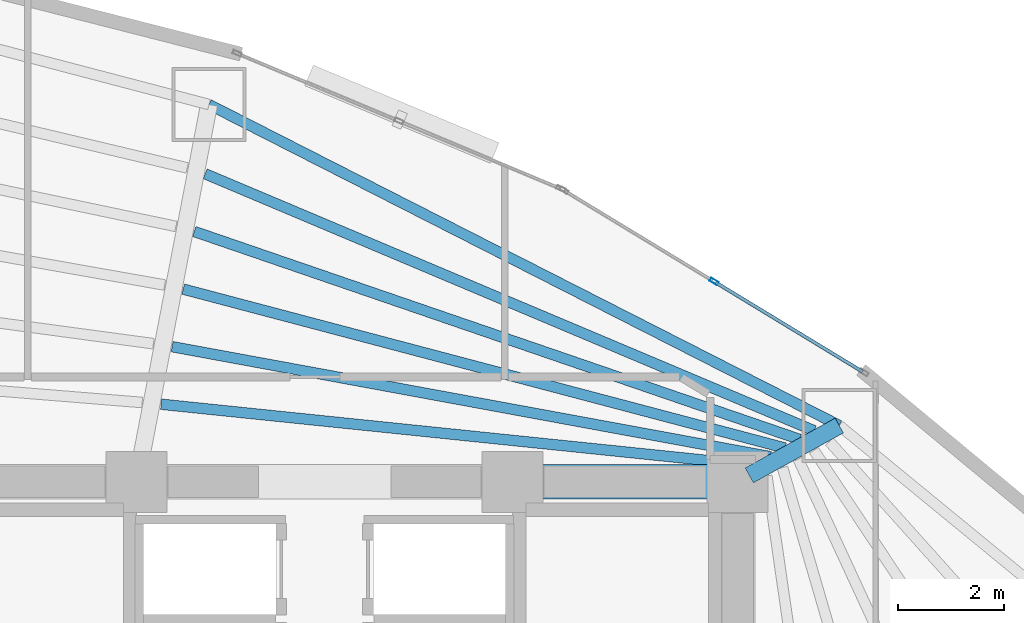
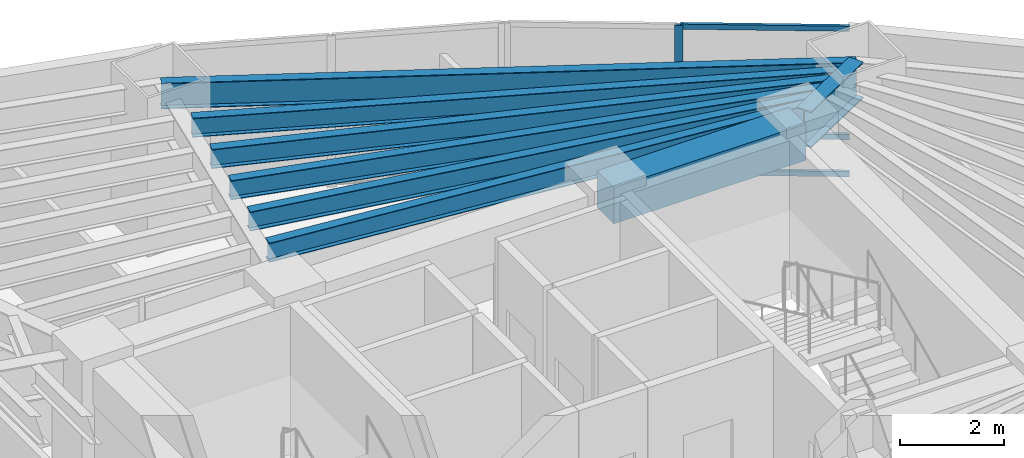
# One storey, part 10 of 17: 8 beams, 4 members, 1 element without a shape of its own.
"""IFC4 building model written with IfcOpenShell, lengths in metres."""

from ifc_helpers import new_model, si_unit, direction, frame, origin, origin_2d, place, context, subcontext, project, spatial, rectangle, hollow_rectangle, i_section, extrude, material, layer, layer_set, material_profile, profile_set, type_object, element, aggregate, save


model = new_model("IFC4")

# Units and contexts
model_context = context("Model", 3, precision=1e-05, world=origin(), true_north=direction((0.0, 1.0)))
body_context = subcontext(model_context, "Body", "Model", "MODEL_VIEW")
ifc_project = project(units=[si_unit("LENGTHUNIT", "METRE"), si_unit("AREAUNIT", "SQUARE_METRE"), si_unit("VOLUMEUNIT", "CUBIC_METRE"), si_unit("PLANEANGLEUNIT", "RADIAN"), si_unit("MASSUNIT", "GRAM", prefix="KILO")], contexts=[model_context])

# Site, building, storey
site_placement = place(None, origin())
site = spatial("IfcSite", under=ifc_project, at=site_placement, CompositionType="ELEMENT")
building_placement = place(site_placement, origin())
building = spatial("IfcBuilding", under=site, at=building_placement, Name="Menara Vayukalpa", CompositionType="ELEMENT")
storey_placement = place(building_placement, frame((0.0, 0.0, 46.199951171875)))
storey = spatial("IfcBuildingStorey", under=building, at=storey_placement, Name="L10", CompositionType="ELEMENT", Elevation=46.199951171875)

# Beams
ifc_material_1 = material(Name="Concrete C60/75", Category="concrete")
ifc_material_profile_1 = material_profile(ifc_material_1, rectangle(XDim=0.64990234375, YDim=0.85009765625, at=origin_2d()), Name="RC 650x850")
ifc_profile_set_1 = profile_set([ifc_material_profile_1], Name="Concrete C60/75")
beam_type_1 = type_object("IfcBeamType", Name="BM-CB1", PredefinedType="BEAM", material=ifc_profile_set_1)
beam_1_placement = place(storey_placement, frame((29.14990234375, 26.800048828125, 3.045166015625), z_axis=(1.0, 0.0, 0.0), x_axis=(0.0, 1.0, 0.0)))
element("IfcBeam", 1, at=beam_1_placement, inside=storey, type_object=beam_type_1, Name="L10 Core Tie Beam CBR6", PredefinedType="BEAM", context=body_context, shape_type="SweptSolid", body=[
    extrude(rectangle(XDim=0.64990234375, YDim=0.85009765625, at=origin_2d()), origin(), (0.0, 0.0, 1.0), 4.25),
])
ifc_material_2 = material(Name="Steel S355", Category="steel")
ifc_material_profile_2 = material_profile(ifc_material_2, i_section(OverallWidth=0.320068359375, OverallDepth=0.85009765625, WebThickness=0.01611328125, FlangeThickness=0.030029296875, at=origin_2d()), Name="WF 850x320x16x30")
ifc_profile_set_2 = profile_set([ifc_material_profile_2], Name="Steel S355")
beam_type_2 = type_object("IfcBeamType", Name="BM-PG2", PredefinedType="BEAM", material=ifc_profile_set_2)
beam_2_placement = place(storey_placement, frame((33.61865234375, 26.921142578125, 3.045166015625), z_axis=(0.87459548214, 0.484853320727, 0.0), x_axis=(-0.484853320727, 0.87459548214, 0.0)))
element("IfcBeam", 2, at=beam_2_placement, inside=storey, type_object=beam_type_2, Name="L10 Primary Radial Girder RG02", PredefinedType="BEAM", context=body_context, shape_type="SweptSolid", body=[
    extrude(i_section(OverallWidth=0.320068359375, OverallDepth=0.85009765625, WebThickness=0.01611328125, FlangeThickness=0.030029296875, at=origin_2d()), origin(), (0.0, 0.0, 1.0), 1.943115234375),
])
ifc_material_3 = material(Name="Steel S355", Category="steel")
ifc_material_profile_3 = material_profile(ifc_material_3, i_section(OverallWidth=0.199951171875, OverallDepth=0.449951171875, WebThickness=0.009033203125, FlangeThickness=0.013916015625, at=origin_2d()), Name="WF 450x200x9x14")
ifc_profile_set_3 = profile_set([ifc_material_profile_3], Name="Steel S355")
beam_type_3 = type_object("IfcBeamType", Name="BM-SJ1", PredefinedType="JOIST", material=ifc_profile_set_3)
beam_3_placement = place(storey_placement, frame((33.74560546875, 27.109130859375, 3.2451171875), z_axis=(-0.994746828953, 0.102365747631, 0.0), x_axis=(-0.102365747631, -0.994746828953, 0.0)))
element("IfcBeam", 3, at=beam_3_placement, inside=storey, type_object=beam_type_3, Name="L10 Secondary Floor Joist SJ02-1", PredefinedType="JOIST", context=body_context, shape_type="SweptSolid", body=[
    extrude(i_section(OverallWidth=0.199951171875, OverallDepth=0.449951171875, WebThickness=0.009033203125, FlangeThickness=0.013916015625, at=origin_2d()), origin(), (0.0, 0.0, 1.0), 11.29052734375),
])
beam_4_placement = place(storey_placement, frame((34.019287109375, 27.27392578125, 3.2451171875), z_axis=(-0.983504975359, 0.180881075419, 0.0), x_axis=(-0.180881075419, -0.983504975359, 0.0)))
element("IfcBeam", 4, at=beam_4_placement, inside=storey, type_object=beam_type_3, Name="L10 Secondary Floor Joist SJ02-2", PredefinedType="JOIST", context=body_context, shape_type="SweptSolid", body=[
    extrude(i_section(OverallWidth=0.199951171875, OverallDepth=0.449951171875, WebThickness=0.009033203125, FlangeThickness=0.013916015625, at=origin_2d()), origin(), (0.0, 0.0, 1.0), 11.48486328125),
])
beam_5_placement = place(storey_placement, frame((34.294189453125, 27.438232421875, 3.2451171875), z_axis=(-0.966863757537, 0.255292918746, 0.0), x_axis=(-0.255292918746, -0.966863757537, 0.0)))
element("IfcBeam", 5, at=beam_5_placement, inside=storey, type_object=beam_type_3, Name="L10 Secondary Floor Joist SJ02-3", PredefinedType="JOIST", context=body_context, shape_type="SweptSolid", body=[
    extrude(i_section(OverallWidth=0.199951171875, OverallDepth=0.449951171875, WebThickness=0.009033203125, FlangeThickness=0.013916015625, at=origin_2d()), origin(), (0.0, 0.0, 1.0), 11.751220703125),
])
beam_6_placement = place(storey_placement, frame((34.570068359375, 27.601318359375, 3.2451171875), z_axis=(-0.945794261669, 0.324766400038, 0.0), x_axis=(-0.324766400038, -0.945794261669, 0.0)))
element("IfcBeam", 6, at=beam_6_placement, inside=storey, type_object=beam_type_3, Name="L10 Secondary Floor Joist SJ02-4", PredefinedType="JOIST", context=body_context, shape_type="SweptSolid", body=[
    extrude(i_section(OverallWidth=0.199951171875, OverallDepth=0.449951171875, WebThickness=0.009033203125, FlangeThickness=0.013916015625, at=origin_2d()), origin(), (0.0, 0.0, 1.0), 12.0849609375),
])
beam_7_placement = place(storey_placement, frame((34.84619140625, 27.763671875, 3.2451171875), z_axis=(-0.921359344435, 0.38871192215, 0.0), x_axis=(-0.38871192215, -0.921359344435, 0.0)))
element("IfcBeam", 7, at=beam_7_placement, inside=storey, type_object=beam_type_3, Name="L10 Secondary Floor Joist SJ02-5", PredefinedType="JOIST", context=body_context, shape_type="SweptSolid", body=[
    extrude(i_section(OverallWidth=0.199951171875, OverallDepth=0.449951171875, WebThickness=0.009033203125, FlangeThickness=0.013916015625, at=origin_2d()), origin(), (0.0, 0.0, 1.0), 12.48046875),
])
ifc_material_4 = material(Name="Steel S355", Category="steel")
ifc_material_profile_4 = material_profile(ifc_material_4, i_section(OverallWidth=0.199951171875, OverallDepth=0.60009765625, WebThickness=0.010986328125, FlangeThickness=0.01708984375, at=origin_2d()), Name="WF 600x200x11x17")
ifc_profile_set_4 = profile_set([ifc_material_profile_4], Name="Steel S355")
beam_type_4 = type_object("IfcBeamType", Name="BM-SP1", PredefinedType="SPANDREL", material=ifc_profile_set_4)
beam_8_placement = place(storey_placement, frame((35.318115234375, 27.86328125, 3.170166015625), z_axis=(-0.891100743313, 0.453805536841, 0.0), x_axis=(-0.453805536841, -0.891100743313, 0.0)))
element("IfcBeam", 8, at=beam_8_placement, inside=storey, type_object=beam_type_4, Name="L10 Perimeter Spandrel Beam SP02", PredefinedType="SPANDREL", context=body_context, shape_type="SweptSolid", body=[
    extrude(i_section(OverallWidth=0.199951171875, OverallDepth=0.60009765625, WebThickness=0.010986328125, FlangeThickness=0.01708984375, at=origin_2d()), origin(), (0.0, 0.0, 1.0), 13.352783203125),
])

# Curtain wall, members
ifc_material_5 = material(Name="Anodised Terracotta Aluminium Alloy 6063-T6", Category="masonry")
ifc_layer = layer(ifc_material_5, 0.1650390625)
ifc_layer_set = layer_set([ifc_layer], Name="Anodised Terracotta Aluminium Alloy 6063-T6")
curtain_wall_type = type_object("IfcCurtainWallType", Name="CW-CW2", PredefinedType="USERDEFINED", material=ifc_layer_set)
curtain_wall_placement = place(storey_placement, origin())
curtain_wall = element("IfcCurtainWall", 9, at=curtain_wall_placement, inside=storey, type_object=curtain_wall_type, Name="L10 Low Rise Terracotta Ribbon Curtain Wall CW2 04", ObjectType="UNITISED", PredefinedType="USERDEFINED")
ifc_material_6 = material(Name="Anodised Terracotta Aluminium Alloy 6063-T6", Category="masonry")
ifc_material_profile_5 = material_profile(ifc_material_6, hollow_rectangle(XDim=0.070068359375, YDim=0.1650390625, WallThickness=0.00390625, at=origin_2d()), Name="ALU 70x165x4")
ifc_profile_set_5 = profile_set([ifc_material_profile_5], Name="Anodised Terracotta Aluminium Alloy 6063-T6")
member_type_1 = type_object("IfcMemberType", Name="CWM-CW2", PredefinedType="MULLION", material=ifc_profile_set_5)
member_1_placement = place(storey_placement, frame((32.9560546875, 30.581298828125, 0.0), z_axis=(0.0, 0.0, 1.0), x_axis=(-0.519181964377, -0.854663727945, 0.0)))
member_1 = element("IfcMember", 10, at=member_1_placement, type_object=member_type_1, Name="CW2 mullion 2", PredefinedType="MULLION", context=body_context, shape_type="SweptSolid", body=[
    extrude(hollow_rectangle(XDim=0.070068359375, YDim=0.1650390625, WallThickness=0.00390625, at=origin_2d()), origin(), (0.0, 0.0, 1.0), 3.469970703125),
])
ifc_material_7 = material(Name="Anodised Terracotta Aluminium Alloy 6063-T6", Category="masonry")
ifc_material_profile_6 = material_profile(ifc_material_7, hollow_rectangle(XDim=0.06494140625, YDim=0.1201171875, WallThickness=0.00341796875, at=origin_2d()), Name="ALU 65x120x3.5")
ifc_profile_set_6 = profile_set([ifc_material_profile_6], Name="Anodised Terracotta Aluminium Alloy 6063-T6")
member_type_2 = type_object("IfcMemberType", Name="CWT-CW2", PredefinedType="USERDEFINED", material=ifc_profile_set_6)
member_2_placement = place(storey_placement, frame((35.75732421875, 28.879638671875, 0.032470703125), z_axis=(-0.854643142641, 0.519215849851, 0.0), x_axis=(-0.519215849851, -0.854643142641, 0.0)))
member_2 = element("IfcMember", 11, at=member_2_placement, type_object=member_type_2, Name="CW2 transom 1.1", ObjectType="TRANSOM", PredefinedType="USERDEFINED", context=body_context, shape_type="SweptSolid", body=[
    extrude(hollow_rectangle(XDim=0.06494140625, YDim=0.1201171875, WallThickness=0.00341796875, at=origin_2d()), origin(), (0.0, 0.0, 1.0), 3.24267578125),
])
member_3_placement = place(storey_placement, frame((35.75732421875, 28.879638671875, 0.900146484375), z_axis=(-0.854643142641, 0.519215849851, 0.0), x_axis=(-0.519215849851, -0.854643142641, 0.0)))
member_3 = element("IfcMember", 12, at=member_3_placement, type_object=member_type_2, Name="CW2 transom 1.2", ObjectType="TRANSOM", PredefinedType="USERDEFINED", context=body_context, shape_type="SweptSolid", body=[
    extrude(hollow_rectangle(XDim=0.06494140625, YDim=0.1201171875, WallThickness=0.00341796875, at=origin_2d()), origin(), (0.0, 0.0, 1.0), 3.24267578125),
])
member_4_placement = place(storey_placement, frame((35.75732421875, 28.879638671875, 3.4375), z_axis=(-0.854643142641, 0.519215849851, 0.0), x_axis=(-0.519215849851, -0.854643142641, 0.0)))
member_4 = element("IfcMember", 13, at=member_4_placement, type_object=member_type_2, Name="CW2 transom 1.3", ObjectType="TRANSOM", PredefinedType="USERDEFINED", context=body_context, shape_type="SweptSolid", body=[
    extrude(hollow_rectangle(XDim=0.06494140625, YDim=0.1201171875, WallThickness=0.00341796875, at=origin_2d()), origin(), (0.0, 0.0, 1.0), 3.24267578125),
])
aggregate(curtain_wall, [member_1, member_2, member_3, member_4])

save(model, "model.ifc")
